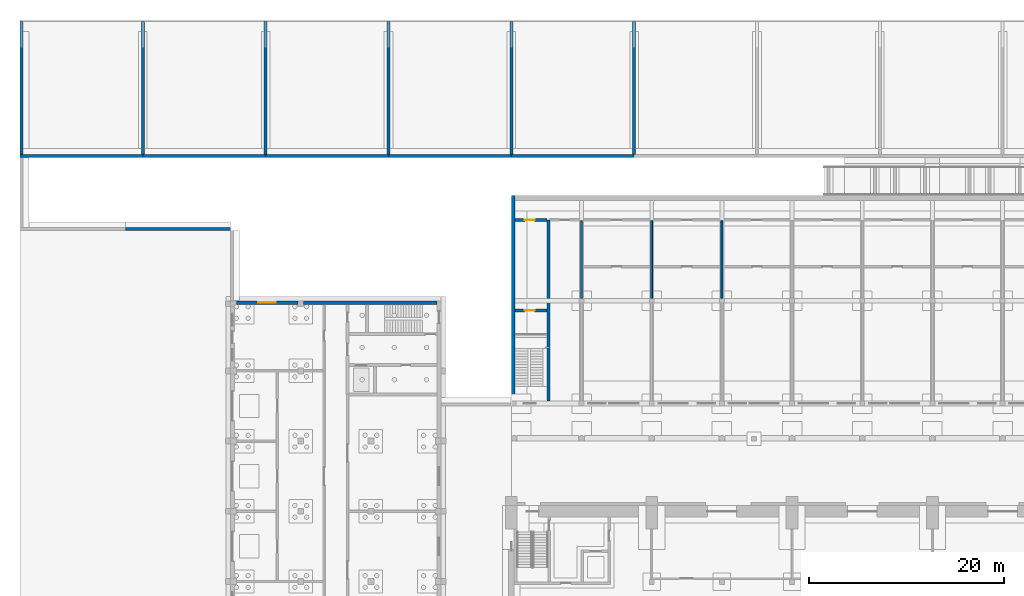
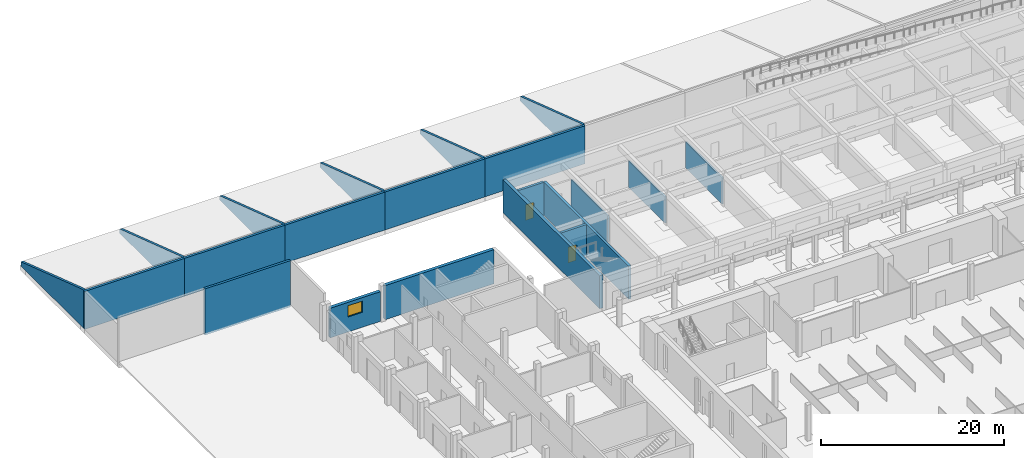
# One storey, part 51 of 73: 21 walls, 2 doors, 1 window, 3 openings.
"""IFC4 building model written with IfcOpenShell, lengths in metres."""

from ifc_helpers import new_model, si_unit, direction, frame, frame_2d, origin, place, context, subcontext, project, spatial, polyline, rectangle, outline, extrude, material, layer, layer_set, type_object, element, fill, save


model = new_model("IFC4")

# Units and contexts
model_context = context("Model", 3, precision=1e-05, world=origin(), true_north=direction((0.0, 1.0)))
body_context = subcontext(model_context, "Body", "Model", "MODEL_VIEW")
ifc_project = project(units=[si_unit("LENGTHUNIT", "METRE"), si_unit("AREAUNIT", "SQUARE_METRE"), si_unit("VOLUMEUNIT", "CUBIC_METRE"), si_unit("PLANEANGLEUNIT", "RADIAN"), si_unit("MASSUNIT", "GRAM", prefix="KILO")], contexts=[model_context])

# Site, building, storey
site_placement = place(None, origin())
site = spatial("IfcSite", under=ifc_project, at=site_placement, CompositionType="ELEMENT")
building_placement = place(site_placement, origin())
building = spatial("IfcBuilding", under=site, at=building_placement, Name="Alderwick Market Hall", CompositionType="ELEMENT")
storey_placement = place(building_placement, origin())
storey = spatial("IfcBuildingStorey", under=building, at=storey_placement, Name="LG", CompositionType="ELEMENT", Elevation=0.0)

# Walls
ifc_material_1 = material(Name="Concrete masonry 3000 psi", Category="masonry")
ifc_layer_1 = layer(ifc_material_1, 0.199951171875)
ifc_layer_set_1 = layer_set([ifc_layer_1], Name="Concrete masonry 3000 psi")
wall_type_1 = type_object("IfcWallType", Name="A Masonry Partition 200", PredefinedType="PARTITIONING", material=ifc_layer_set_1)
for number, where, z_axis, x_axis, name in (
    (1, (57.60009765625, 129.85009765625, 0.0), (0.0, 0.0, 1.0), (0.0, 1.0, 0.0), "A.N.wall.026"),
    (2, (64.800048828125, 129.85009765625, 0.0), (0.0, 0.0, 1.0), (0.0, 1.0, 0.0), "A.N.wall.028"),
    (3, (72.0, 129.85009765625, 0.0), (0.0, 0.0, 1.0), (0.0, 1.0, 0.0), "A.N.wall.030"),
):
    element("IfcWall", number, at=place(storey_placement, frame(where, z_axis=z_axis, x_axis=x_axis)), inside=storey, type_object=wall_type_1, Name=name, PredefinedType="PARTITIONING", context=body_context, shape_type="SweptSolid", body=[
        extrude(rectangle(XDim=7.949951171875, YDim=0.199951171875, at=frame_2d((3.97509765625, 0.0))), origin(), (0.0, 0.0, 1.0), 3.5),
    ])
ifc_material_2 = material(Name="Concrete 5000 psi (f'c 35 MPa)", Category="concrete")
ifc_layer_2 = layer(ifc_material_2, 0.39990234375)
ifc_layer_set_2 = layer_set([ifc_layer_2], Name="Concrete 5000 psi (f'c 35 MPa)")
wall_type_2 = type_object("IfcWallType", Name="A RC End Wall 400", PredefinedType="SHEAR", material=ifc_layer_set_2)
wall_1_placement = place(storey_placement, frame((50.60009765625, 119.300048828125, 0.0), z_axis=(0.0, 0.0, 1.0), x_axis=(0.0, 1.0, 0.0)))
element("IfcWall", 4, at=wall_1_placement, inside=storey, type_object=wall_type_2, Name="A.N.wall.023", PredefinedType="SHEAR", context=body_context, shape_type="SweptSolid", body=[
    extrude(rectangle(XDim=21.099853515625, YDim=0.39990234375, at=frame_2d((10.5498046875, 0.0))), origin(), (0.0, 0.0, 1.0), 4.39990234375),
])

# Wall, opening, door
ifc_layer_3 = layer(ifc_material_2, 0.300048828125)
ifc_layer_set_3 = layer_set([ifc_layer_3], Name="Concrete 5000 psi (f'c 35 MPa)")
wall_type_3 = type_object("IfcWallType", Name="A RC Stair Core Wall 300", PredefinedType="SHEAR", material=ifc_layer_set_3)
wall_2_placement = place(storey_placement, frame((50.800048828125, 128.60009765625, 0.0), z_axis=(0.0, 0.0, 1.0), x_axis=(1.0, 0.0, 0.0)))
wall_2 = element("IfcWall", 5, at=wall_2_placement, inside=storey, type_object=wall_type_3, Name="A.N.wall.015", PredefinedType="SHEAR", context=body_context, shape_type="SweptSolid", body=[
    extrude(rectangle(XDim=3.25, YDim=0.300048828125, at=frame_2d((1.625, 0.0))), origin(), (0.0, 0.0, 1.0), 4.39990234375),
])
opening_1_placement = place(wall_2_placement, frame((1.0, 0.0, 0.0)))
opening_1 = element("IfcOpeningElement", 6, at=opening_1_placement, cuts=wall_2, Name="Opening A-D056", PredefinedType="OPENING", context=body_context, shape_type="SweptSolid", body=[
    extrude(rectangle(XDim=1.0, YDim=2.10009765625, at=frame_2d((0.5, 1.050048828125))), frame((0.0, 0.159912109375, 0.0), z_axis=(0.0, -1.0, 0.0), x_axis=(1.0, 0.0, 0.0)), (0.0, 0.0, 1.0), 0.320068359375),
])
ifc_material_3 = material(Name="Hollow metal fire door and frame")
door_type = type_object("IfcDoorType", Name="A Fire Door 1000x2100", OperationType="SINGLE_SWING_LEFT", PredefinedType="DOOR", material=ifc_material_3)
door_1_placement = place(opening_1_placement, origin())
door_1 = element("IfcDoor", 7, at=door_1_placement, inside=storey, type_object=door_type, Name="Roof stair lobby door", OperationType="SINGLE_SWING_RIGHT", OverallHeight=2.10009765625, OverallWidth=1.0, PredefinedType="DOOR", context=body_context, shape_type="SweptSolid", body=[
    extrude(rectangle(XDim=1.0, YDim=2.10009765625, at=frame_2d((0.5, 1.050048828125))), frame((0.0, 0.02490234375, 0.0), z_axis=(0.0, -1.0, 0.0), x_axis=(1.0, 0.0, 0.0)), (0.0, 0.0, 1.0), 0.050048828125),
])
fill(opening_1, door_1)

wall_3_placement = place(storey_placement, frame((50.800048828125, 137.89990234375, 0.0), z_axis=(0.0, 0.0, 1.0), x_axis=(1.0, 0.0, 0.0)))
wall_3 = element("IfcWall", 8, at=wall_3_placement, inside=storey, type_object=wall_type_3, Name="A.N.wall.019", PredefinedType="SHEAR", context=body_context, shape_type="SweptSolid", body=[
    extrude(rectangle(XDim=3.25, YDim=0.300048828125, at=frame_2d((1.625, 0.0))), origin(), (0.0, 0.0, 1.0), 4.39990234375),
])
opening_2_placement = place(wall_3_placement, frame((1.0, 0.0, 0.0)))
opening_2 = element("IfcOpeningElement", 9, at=opening_2_placement, cuts=wall_3, Name="Opening A-D057", PredefinedType="OPENING", context=body_context, shape_type="SweptSolid", body=[
    extrude(rectangle(XDim=1.0, YDim=2.10009765625, at=frame_2d((0.5, 1.050048828125))), frame((0.0, 0.159912109375, 0.0), z_axis=(0.0, -1.0, 0.0), x_axis=(1.0, 0.0, 0.0)), (0.0, 0.0, 1.0), 0.320068359375),
])
door_2_placement = place(opening_2_placement, origin())
door_2 = element("IfcDoor", 10, at=door_2_placement, inside=storey, type_object=door_type, Name="Stair lobby corridor door", OperationType="SINGLE_SWING_LEFT", OverallHeight=2.10009765625, OverallWidth=1.0, PredefinedType="DOOR", context=body_context, shape_type="SweptSolid", body=[
    extrude(rectangle(XDim=1.0, YDim=2.10009765625, at=frame_2d((0.5, 1.050048828125))), frame((0.0, 0.02490234375, 0.0), z_axis=(0.0, -1.0, 0.0), x_axis=(1.0, 0.0, 0.0)), (0.0, 0.0, 1.0), 0.050048828125),
])
fill(opening_2, door_2)

# Wall
wall_4_placement = place(storey_placement, frame((54.199951171875, 119.300048828125, 0.0), z_axis=(0.0, 0.0, 1.0), x_axis=(0.0, 1.0, 0.0)))
element("IfcWall", 11, at=wall_4_placement, inside=storey, type_object=wall_type_3, Name="A.N.wall.024", PredefinedType="SHEAR", context=body_context, shape_type="SweptSolid", body=[
    extrude(rectangle(XDim=18.599853515625, YDim=0.300048828125, at=frame_2d((9.2998046875, 0.0))), origin(), (0.0, 0.0, 1.0), 4.39990234375),
])

# Wall, opening, window
ifc_material_4 = material(Name="Cast stone 5000 psi", Category="masonry")
ifc_layer_4 = layer(ifc_material_4, 0.39990234375)
ifc_layer_set_4 = layer_set([ifc_layer_4], Name="Cast stone 5000 psi")
wall_type_4 = type_object("IfcWallType", Name="B Cast Stone Base Wall 400", PredefinedType="SOLIDWALL", material=ifc_layer_set_4)
wall_5_placement = place(storey_placement, frame((22.199951171875, 129.39990234375, 0.0), z_axis=(0.0, 0.0, 1.0), x_axis=(1.0, 0.0, 0.0)))
wall_5 = element("IfcWall", 12, at=wall_5_placement, inside=storey, type_object=wall_type_4, Name="B.N.wall.LG.015", PredefinedType="SOLIDWALL", context=body_context, shape_type="SweptSolid", body=[
    extrude(rectangle(XDim=6.300048828125, YDim=0.39990234375, at=frame_2d((3.14990234375, 0.0))), origin(), (0.0, 0.0, 1.0), 3.949951171875),
])
opening_3_placement = place(wall_5_placement, frame((2.25, 0.0, 2.0)))
opening_3 = element("IfcOpeningElement", 13, at=opening_3_placement, cuts=wall_5, Name="Opening B-W002", PredefinedType="OPENING", context=body_context, shape_type="SweptSolid", body=[
    extrude(rectangle(XDim=1.800048828125, YDim=1.5, at=frame_2d((0.89990234375, 0.75))), frame((0.0, 0.2099609375, 0.0), z_axis=(0.0, -1.0, 0.0), x_axis=(1.0, 0.0, 0.0)), (0.0, 0.0, 1.0), 0.419921875),
])
ifc_material_5 = material(Name="Aluminium frame", Category="aluminium")
window_type = type_object("IfcWindowType", Name="B Window 1800x1500", PartitioningType="SINGLE_PANEL", PredefinedType="WINDOW", material=ifc_material_5)
window_placement = place(opening_3_placement, origin())
window = element("IfcWindow", 14, at=window_placement, inside=storey, type_object=window_type, Name="Window B-W002", OverallHeight=1.5, OverallWidth=1.800048828125, PartitioningType="SINGLE_PANEL", PredefinedType="WINDOW", context=body_context, shape_type="SweptSolid", body=[
    extrude(rectangle(XDim=1.800048828125, YDim=1.5, at=frame_2d((0.89990234375, 0.75))), frame((0.0, 0.030029296875, 0.0), z_axis=(0.0, -1.0, 0.0), x_axis=(1.0, 0.0, 0.0)), (0.0, 0.0, 1.0), 0.06005859375),
])
fill(opening_3, window)

# Walls
ifc_layer_5 = layer(ifc_material_2, 0.39990234375)
ifc_layer_set_5 = layer_set([ifc_layer_5], Name="Concrete 5000 psi (f'c 35 MPa)")
wall_type_5 = type_object("IfcWallType", Name="B RC Core Facade Wall 400", PredefinedType="SHEAR", material=ifc_layer_set_5)
wall_6_placement = place(storey_placement, frame((29.10009765625, 129.39990234375, 0.0), z_axis=(0.0, 0.0, 1.0), x_axis=(1.0, 0.0, 0.0)))
element("IfcWall", 15, at=wall_6_placement, inside=storey, type_object=wall_type_5, Name="B.N.wall.LG.016", PredefinedType="SHEAR", context=body_context, shape_type="SweptSolid", body=[
    extrude(rectangle(XDim=13.699951171875, YDim=0.39990234375, at=frame_2d((6.85009765625, 0.0))), origin(), (0.0, 0.0, 1.0), 4.550048828125),
])
ifc_layer_6 = layer(ifc_material_2, 0.300048828125)
ifc_layer_set_6 = layer_set([ifc_layer_6], Name="Concrete 5000 psi (f'c 35 MPa)")
wall_type_6 = type_object("IfcWallType", Name="S Retaining Wall 300", PredefinedType="SOLIDWALL", material=ifc_layer_set_6)
wall_7_placement = place(storey_placement, frame((10.800048828125, 136.949951171875, -0.25), z_axis=(0.0, 0.0, 1.0), x_axis=(1.0, 0.0, 0.0)))
element("IfcWall", 16, at=wall_7_placement, inside=storey, type_object=wall_type_6, Name="Retaining wall 03b", PredefinedType="SOLIDWALL", context=body_context, shape_type="SweptSolid", body=[
    extrude(rectangle(XDim=10.800048828125, YDim=0.300048828125, at=frame_2d((5.39990234375, 0.0))), origin(), (0.0, 0.0, 1.0), 6.14990234375),
])
wall_8_placement = place(storey_placement, frame((0.0009765625, 144.449951171875, -0.25), z_axis=(0.0, 0.0, 1.0), x_axis=(1.0, 0.0, 0.0)))
element("IfcWall", 17, at=wall_8_placement, inside=storey, type_object=wall_type_6, Name="Berm crest wall N01", PredefinedType="SOLIDWALL", context=body_context, shape_type="SweptSolid", body=[
    extrude(rectangle(XDim=12.59912109375, YDim=0.300048828125, at=frame_2d((6.299560546875, 0.0))), origin(), (0.0, 0.0, 1.0), 5.050048828125),
])
wall_9_placement = place(storey_placement, frame((12.60009765625, 144.449951171875, -0.25), z_axis=(0.0, 0.0, 1.0), x_axis=(1.0, 0.0, 0.0)))
element("IfcWall", 18, at=wall_9_placement, inside=storey, type_object=wall_type_6, Name="Berm crest wall N02", PredefinedType="SOLIDWALL", context=body_context, shape_type="SweptSolid", body=[
    extrude(rectangle(XDim=12.599853515625, YDim=0.300048828125, at=frame_2d((6.2998046875, 0.0))), origin(), (0.0, 0.0, 1.0), 5.050048828125),
])
wall_10_placement = place(storey_placement, frame((25.199951171875, 144.449951171875, -0.25), z_axis=(0.0, 0.0, 1.0), x_axis=(1.0, 0.0, 0.0)))
element("IfcWall", 19, at=wall_10_placement, inside=storey, type_object=wall_type_6, Name="Berm crest wall N03", PredefinedType="SOLIDWALL", context=body_context, shape_type="SweptSolid", body=[
    extrude(rectangle(XDim=12.60009765625, YDim=0.300048828125, at=frame_2d((6.300048828125, 0.0))), origin(), (0.0, 0.0, 1.0), 5.050048828125),
])
wall_11_placement = place(storey_placement, frame((37.800048828125, 144.449951171875, -0.25), z_axis=(0.0, 0.0, 1.0), x_axis=(1.0, 0.0, 0.0)))
element("IfcWall", 20, at=wall_11_placement, inside=storey, type_object=wall_type_6, Name="Berm crest wall N04", PredefinedType="SOLIDWALL", context=body_context, shape_type="SweptSolid", body=[
    extrude(rectangle(XDim=12.599853515625, YDim=0.300048828125, at=frame_2d((6.2998046875, 0.0))), origin(), (0.0, 0.0, 1.0), 5.050048828125),
])
wall_12_placement = place(storey_placement, frame((50.39990234375, 144.449951171875, -0.25), z_axis=(0.0, 0.0, 1.0), x_axis=(1.0, 0.0, 0.0)))
element("IfcWall", 21, at=wall_12_placement, inside=storey, type_object=wall_type_6, Name="Berm crest wall N05", PredefinedType="SOLIDWALL", context=body_context, shape_type="SweptSolid", body=[
    extrude(rectangle(XDim=12.60009765625, YDim=0.300048828125, at=frame_2d((6.300048828125, 0.0))), origin(), (0.0, 0.0, 1.0), 5.050048828125),
])
for number, where, z_axis, x_axis, name in (
    (22, (0.15087890625, 144.60009765625, -0.25), (0.0, 0.0, 1.0), (0.0, 1.0, 0.0), "Berm cross wall N01"),
    (23, (12.60009765625, 144.60009765625, -0.25), (0.0, 0.0, 1.0), (0.0, 1.0, 0.0), "Berm cross wall N02"),
    (24, (25.199951171875, 144.60009765625, -0.25), (0.0, 0.0, 1.0), (0.0, 1.0, 0.0), "Berm cross wall N03"),
    (25, (37.800048828125, 144.60009765625, -0.25), (0.0, 0.0, 1.0), (0.0, 1.0, 0.0), "Berm cross wall N04"),
    (26, (50.39990234375, 144.60009765625, -0.25), (0.0, 0.0, 1.0), (0.0, 1.0, 0.0), "Berm cross wall N05"),
    (27, (63.0, 144.60009765625, -0.25), (0.0, 0.0, 1.0), (0.0, 1.0, 0.0), "Berm cross wall N06"),
):
    element("IfcWall", number, at=place(storey_placement, frame(where, z_axis=z_axis, x_axis=x_axis)), inside=storey, type_object=wall_type_6, Name=name, PredefinedType="SOLIDWALL", context=body_context, shape_type="SweptSolid", body=[
        extrude(outline(polyline([(0.0, 0.0), (13.632080078125, 0.0), (13.632080078125, 0.569091796875), (0.189697265625, 5.050048828125), (0.0, 5.050048828125), (0.0, 0.0)])), frame((0.0, 0.14990234375, 0.0), z_axis=(0.0, -1.0, 0.0), x_axis=(1.0, 0.0, 0.0)), (0.0, 0.0, 1.0), 0.300048828125),
    ])

save(model, "model.ifc")
